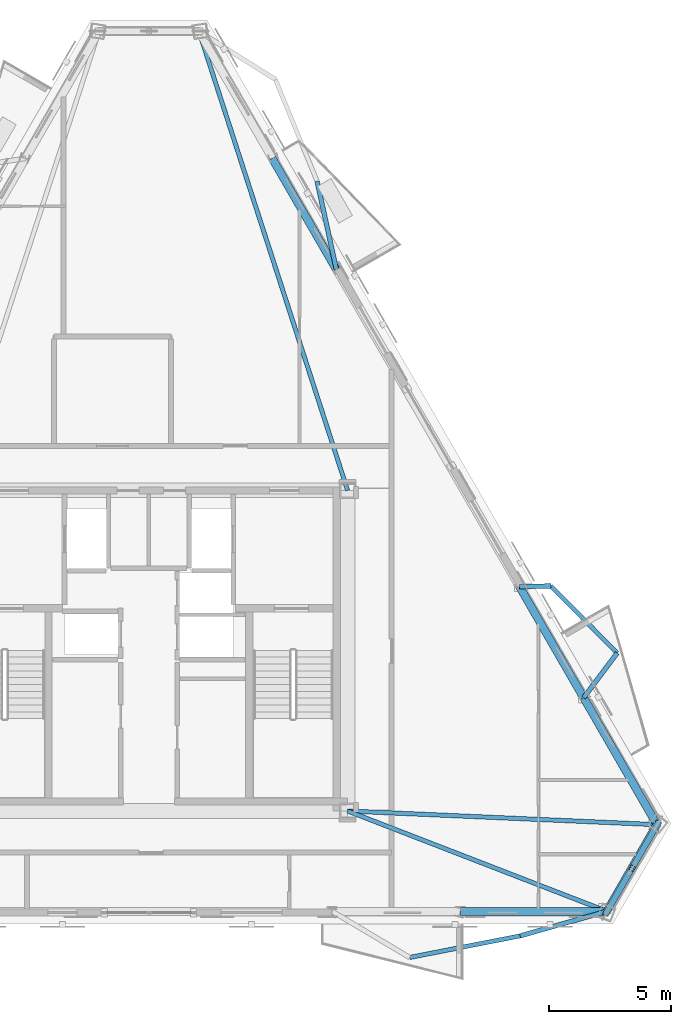
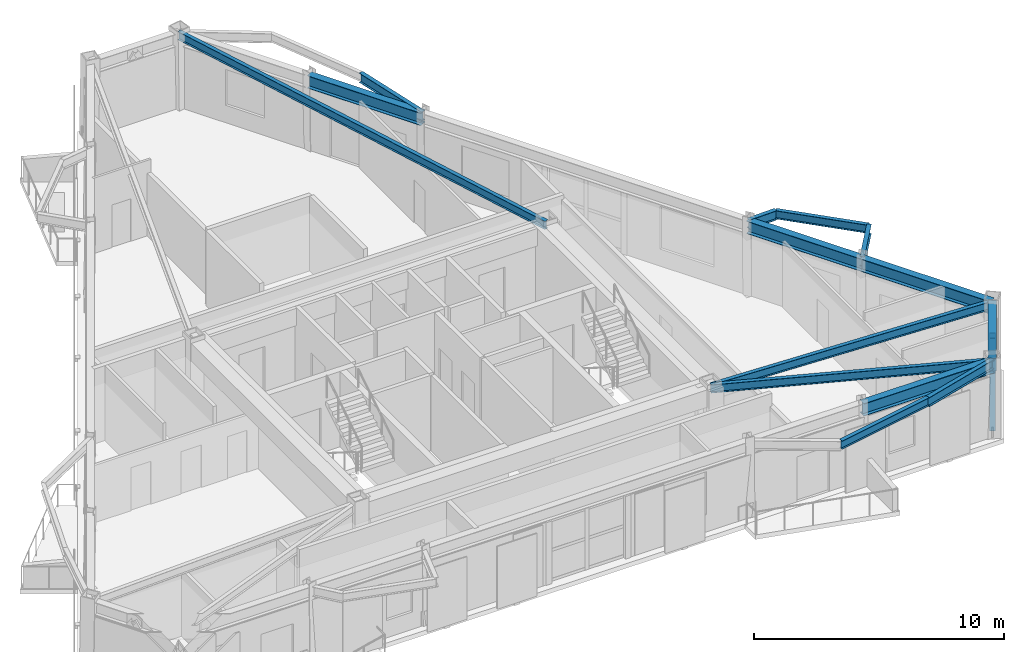
# One storey, part 5 of 15: 14 beams, 2 members.
"""IFC4 building model written with IfcOpenShell, lengths in metres."""

from ifc_helpers import new_model, si_unit, direction, frame, origin, origin_2d, place, context, subcontext, project, spatial, hollow_rectangle, i_section, extrude, material, material_profile, profile_set, type_object, element, save


model = new_model("IFC4")

# Units and contexts
model_context = context("Model", 3, precision=1e-05, world=origin(), true_north=direction((0.0, 1.0)))
body_context = subcontext(model_context, "Body", "Model", "MODEL_VIEW")
ifc_project = project(units=[si_unit("LENGTHUNIT", "METRE"), si_unit("AREAUNIT", "SQUARE_METRE"), si_unit("VOLUMEUNIT", "CUBIC_METRE"), si_unit("PLANEANGLEUNIT", "RADIAN"), si_unit("MASSUNIT", "GRAM", prefix="KILO")], contexts=[model_context])

# Site, building, storey
site_placement = place(None, origin())
site = spatial("IfcSite", under=ifc_project, at=site_placement, CompositionType="ELEMENT")
building_placement = place(site_placement, origin())
building = spatial("IfcBuilding", under=site, at=building_placement, Name="Oramaril Tower", CompositionType="ELEMENT")
storey_placement = place(building_placement, frame((0.0, 0.0, 288.89990234375)))
storey = spatial("IfcBuildingStorey", under=building, at=storey_placement, Name="L76", CompositionType="ELEMENT", Elevation=288.89990234375)

# Beams
ifc_material_1 = material(Name="Steel ASTM A572 Gr 50", Category="steel")
ifc_material_profile_1 = material_profile(ifc_material_1, i_section(OverallWidth=0.19091796875, OverallDepth=0.45703125, WebThickness=0.009033203125, FlangeThickness=0.014404296875, at=origin_2d()), Name="W18X50")
ifc_profile_set_1 = profile_set([ifc_material_profile_1], Name="Steel ASTM A572 Gr 50")
beam_type_1 = type_object("IfcBeamType", Name="BT-BB1", PredefinedType="BEAM", material=ifc_profile_set_1)
beam_1_placement = place(storey_placement, frame((56.28515625, 6.884521484375, 3.45166015625), z_axis=(-0.96224518264, -0.272184144442, 0.0), x_axis=(0.272184144442, -0.96224518264, 0.0)))
element("IfcBeam", 1, at=beam_1_placement, inside=storey, type_object=beam_type_1, Name="L76 Balcony Column-Framed Cantilever 02.2", PredefinedType="BEAM", context=body_context, shape_type="SweptSolid", body=[
    extrude(i_section(OverallWidth=0.19091796875, OverallDepth=0.45703125, WebThickness=0.009033203125, FlangeThickness=0.014404296875, at=origin_2d()), origin(), (0.0, 0.0, 1.0), 3.699951171875),
])
beam_2_placement = place(storey_placement, frame((55.331787109375, 15.645263671875, 3.45166015625), z_axis=(0.599812542111, 0.800140559106, 0.0), x_axis=(-0.800140559106, 0.599812542111, 0.0)))
element("IfcBeam", 2, at=beam_2_placement, inside=storey, type_object=beam_type_1, Name="L76 Balcony Column-Framed Cantilever 03.1", PredefinedType="BEAM", context=body_context, shape_type="SweptSolid", body=[
    extrude(i_section(OverallWidth=0.19091796875, OverallDepth=0.45703125, WebThickness=0.009033203125, FlangeThickness=0.014404296875, at=origin_2d()), origin(), (0.0, 0.0, 1.0), 2.29248046875),
])
beam_3_placement = place(storey_placement, frame((52.701904296875, 20.2001953125, 3.45166015625), z_axis=(0.999690016103, 0.024897222834, 0.0), x_axis=(-0.024897222834, 0.999690016103, 0.0)))
element("IfcBeam", 3, at=beam_3_placement, inside=storey, type_object=beam_type_1, Name="L76 Balcony Column-Framed Cantilever 03.2", PredefinedType="BEAM", context=body_context, shape_type="SweptSolid", body=[
    extrude(i_section(OverallWidth=0.19091796875, OverallDepth=0.45703125, WebThickness=0.009033203125, FlangeThickness=0.014404296875, at=origin_2d()), origin(), (0.0, 0.0, 1.0), 1.28466796875),
])
beam_4_placement = place(storey_placement, frame((45.187744140625, 33.215087890625, 3.45166015625), z_axis=(-0.213393819563, 0.976966262351, 0.0), x_axis=(-0.976966262351, -0.213393819563, 0.0)))
element("IfcBeam", 4, at=beam_4_placement, inside=storey, type_object=beam_type_1, Name="L76 Balcony Column-Framed Cantilever 04.1", PredefinedType="BEAM", context=body_context, shape_type="SweptSolid", body=[
    extrude(i_section(OverallWidth=0.19091796875, OverallDepth=0.45703125, WebThickness=0.009033203125, FlangeThickness=0.014404296875, at=origin_2d()), origin(), (0.0, 0.0, 1.0), 3.699951171875),
])
ifc_material_2 = material(Name="Steel ASTM A572 Gr 50", Category="steel")
ifc_material_profile_2 = material_profile(ifc_material_2, i_section(OverallWidth=0.177978515625, OverallDepth=0.404052734375, WebThickness=0.007568359375, FlangeThickness=0.010986328125, at=origin_2d()), Name="W16X36")
ifc_profile_set_2 = profile_set([ifc_material_profile_2], Name="Steel ASTM A572 Gr 50")
beam_type_2 = type_object("IfcBeamType", Name="BT-SB1", PredefinedType="BEAM", material=ifc_profile_set_2)
beam_5_placement = place(storey_placement, frame((45.64990234375, 11.0, 3.47802734375), z_axis=(0.93260924357, -0.360887792545, 0.0), x_axis=(0.360887792545, 0.93260924357, 0.0)))
element("IfcBeam", 5, at=beam_5_placement, inside=storey, type_object=beam_type_2, Name="L76 Radial Primary Beam RB-03", PredefinedType="BEAM", context=body_context, shape_type="SweptSolid", body=[
    extrude(i_section(OverallWidth=0.177978515625, OverallDepth=0.404052734375, WebThickness=0.007568359375, FlangeThickness=0.010986328125, at=origin_2d()), origin(), (0.0, 0.0, 1.0), 11.40380859375),
])
beam_6_placement = place(storey_placement, frame((45.64990234375, 11.0, 3.47802734375), z_axis=(0.999024596728, -0.044157163999, 0.0), x_axis=(0.044157163999, 0.999024596728, 0.0)))
element("IfcBeam", 6, at=beam_6_placement, inside=storey, type_object=beam_type_2, Name="L76 Radial Primary Beam RB-04", PredefinedType="BEAM", context=body_context, shape_type="SweptSolid", body=[
    extrude(i_section(OverallWidth=0.177978515625, OverallDepth=0.404052734375, WebThickness=0.007568359375, FlangeThickness=0.010986328125, at=origin_2d()), origin(), (0.0, 0.0, 1.0), 12.699951171875),
])
beam_7_placement = place(storey_placement, frame((45.64990234375, 24.14990234375, 3.47802734375), z_axis=(-0.308132977704, 0.951343296634, 0.0), x_axis=(-0.951343296634, -0.308132977704, 0.0)))
element("IfcBeam", 7, at=beam_7_placement, inside=storey, type_object=beam_type_2, Name="L76 Radial Primary Beam RB-05", PredefinedType="BEAM", context=body_context, shape_type="SweptSolid", body=[
    extrude(i_section(OverallWidth=0.177978515625, OverallDepth=0.404052734375, WebThickness=0.007568359375, FlangeThickness=0.010986328125, at=origin_2d()), origin(), (0.0, 0.0, 1.0), 19.7890625),
])
beam_8_placement = place(storey_placement, frame((48.193115234375, 4.991455078125, 3.47802734375), z_axis=(0.981419502665, 0.191874333325, 0.0), x_axis=(-0.191874333325, 0.981419502665, 0.0)))
element("IfcBeam", 8, at=beam_8_placement, inside=storey, type_object=beam_type_2, Name="L76 Balcony Edge Tie Beam 02", PredefinedType="BEAM", context=body_context, shape_type="SweptSolid", body=[
    extrude(i_section(OverallWidth=0.177978515625, OverallDepth=0.404052734375, WebThickness=0.007568359375, FlangeThickness=0.010986328125, at=origin_2d()), origin(), (0.0, 0.0, 1.0), 4.617431640625),
])
beam_9_placement = place(storey_placement, frame((56.706787109375, 17.4794921875, 3.47802734375), z_axis=(-0.702962973102, 0.711226446673, 0.0), x_axis=(-0.711226446673, -0.702962973102, 0.0)))
element("IfcBeam", 9, at=beam_9_placement, inside=storey, type_object=beam_type_2, Name="L76 Balcony Edge Tie Beam 03", PredefinedType="BEAM", context=body_context, shape_type="SweptSolid", body=[
    extrude(i_section(OverallWidth=0.177978515625, OverallDepth=0.404052734375, WebThickness=0.007568359375, FlangeThickness=0.010986328125, at=origin_2d()), origin(), (0.0, 0.0, 1.0), 3.870361328125),
])
ifc_material_3 = material(Name="Steel ASTM A572 Gr 50", Category="steel")
ifc_material_profile_3 = material_profile(ifc_material_3, i_section(OverallWidth=0.324951171875, OverallDepth=0.612060546875, WebThickness=0.0126953125, FlangeThickness=0.01904296875, at=origin_2d()), Name="W24X104")
ifc_profile_set_3 = profile_set([ifc_material_profile_3], Name="Steel ASTM A572 Gr 50")
beam_type_3 = type_object("IfcBeamType", Name="BT-SP5", PredefinedType="SPANDREL", material=ifc_profile_set_3)
beam_10_placement = place(storey_placement, frame((50.27392578125, 6.884521484375, 3.3740234375), z_axis=(1.0, 0.0, 0.0), x_axis=(0.0, 1.0, 0.0)))
element("IfcBeam", 10, at=beam_10_placement, inside=storey, type_object=beam_type_3, Name="L76 Perimeter Spandrel 06", PredefinedType="SPANDREL", context=body_context, shape_type="SweptSolid", body=[
    extrude(i_section(OverallWidth=0.324951171875, OverallDepth=0.612060546875, WebThickness=0.0126953125, FlangeThickness=0.01904296875, at=origin_2d()), origin(), (0.0, 0.0, 1.0), 6.01123046875),
])
beam_11_placement = place(storey_placement, frame((56.28515625, 6.884521484375, 3.3740234375), z_axis=(0.499990189338, 0.866031067899, 0.0), x_axis=(-0.866031067899, 0.499990189338, 0.0)))
element("IfcBeam", 11, at=beam_11_placement, inside=storey, type_object=beam_type_3, Name="L76 Perimeter Spandrel 07", PredefinedType="SPANDREL", context=body_context, shape_type="SweptSolid", body=[
    extrude(i_section(OverallWidth=0.324951171875, OverallDepth=0.612060546875, WebThickness=0.0126953125, FlangeThickness=0.01904296875, at=origin_2d()), origin(), (0.0, 0.0, 1.0), 4.1044921875),
])
beam_12_placement = place(storey_placement, frame((58.33740234375, 10.439208984375, 3.3740234375), z_axis=(-0.499987293943, 0.866032739505, 0.0), x_axis=(-0.866032739505, -0.499987293943, 0.0)))
element("IfcBeam", 12, at=beam_12_placement, inside=storey, type_object=beam_type_3, Name="L76 Perimeter Spandrel 08", PredefinedType="SPANDREL", context=body_context, shape_type="SweptSolid", body=[
    extrude(i_section(OverallWidth=0.324951171875, OverallDepth=0.612060546875, WebThickness=0.0126953125, FlangeThickness=0.01904296875, at=origin_2d()), origin(), (0.0, 0.0, 1.0), 6.011474609375),
])
beam_13_placement = place(storey_placement, frame((55.331787109375, 15.645263671875, 3.3740234375), z_axis=(-0.500013090742, 0.866017845709, 0.0), x_axis=(-0.866017845709, -0.500013090742, 0.0)))
element("IfcBeam", 13, at=beam_13_placement, inside=storey, type_object=beam_type_3, Name="L76 Perimeter Spandrel 09", PredefinedType="SPANDREL", context=body_context, shape_type="SweptSolid", body=[
    extrude(i_section(OverallWidth=0.324951171875, OverallDepth=0.612060546875, WebThickness=0.0126953125, FlangeThickness=0.01904296875, at=origin_2d()), origin(), (0.0, 0.0, 1.0), 5.259521484375),
])
beam_14_placement = place(storey_placement, frame((45.187744140625, 33.215087890625, 3.3740234375), z_axis=(-0.499992991546, 0.86602945008, 0.0), x_axis=(-0.86602945008, -0.499992991546, 0.0)))
element("IfcBeam", 14, at=beam_14_placement, inside=storey, type_object=beam_type_3, Name="L76 Perimeter Spandrel 11", PredefinedType="SPANDREL", context=body_context, shape_type="SweptSolid", body=[
    extrude(i_section(OverallWidth=0.324951171875, OverallDepth=0.612060546875, WebThickness=0.0126953125, FlangeThickness=0.01904296875, at=origin_2d()), origin(), (0.0, 0.0, 1.0), 5.259765625),
])

# Members
ifc_material_4 = material(Name="Steel ASTM A572 Gr 50", Category="steel")
ifc_material_profile_4 = material_profile(ifc_material_4, hollow_rectangle(XDim=0.25, YDim=0.25, WallThickness=0.011962890625, at=origin_2d()), Name="HSS250X250X12")
ifc_profile_set_4 = profile_set([ifc_material_profile_4], Name="Steel ASTM A572 Gr 50")
member_type = type_object("IfcMemberType", Name="MT-KB3", PredefinedType="BRACE", material=ifc_profile_set_4)
for number, where, z_axis, x_axis, name in (
    (15, (56.262939453125, 6.827392578125, 0.18017578125), (0.275858879566, 0.477828126265, 0.834015683495), (-0.866037425094, 0.499979177903, 0.0), "L76 Perimeter Chevron Brace KB-2A"),
    (16, (58.375732421875, 10.4873046875, 0.18017578125), (-0.275850475917, -0.477877320887, 0.833990276393), (0.866066305525, -0.499929149414, 0.0), "L76 Perimeter Chevron Brace KB-2B"),
):
    element("IfcMember", number, at=place(storey_placement, frame(where, z_axis=z_axis, x_axis=x_axis)), inside=storey, type_object=member_type, Name=name, PredefinedType="BRACE", context=body_context, shape_type="SweptSolid", body=[
        extrude(hollow_rectangle(XDim=0.25, YDim=0.25, WallThickness=0.011962890625, at=origin_2d()), origin(), (0.0, 0.0, 1.0), 3.82958984375),
    ])

save(model, "model.ifc")
